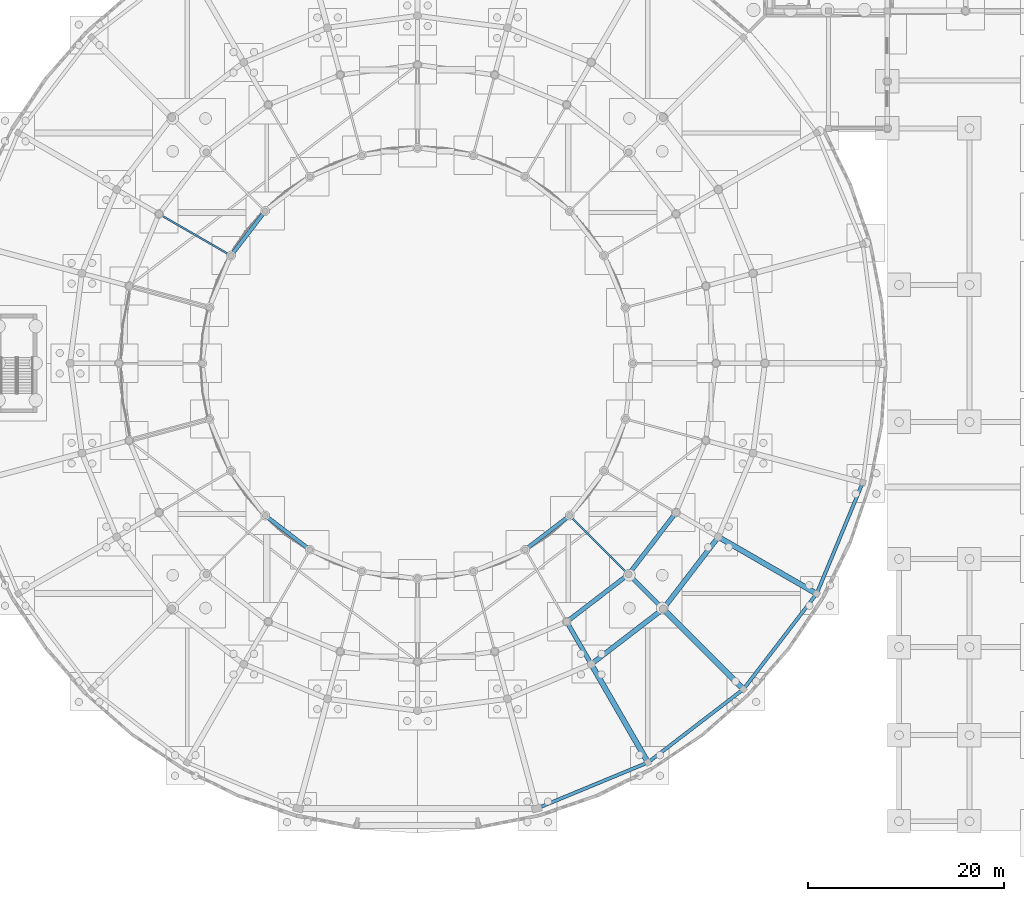
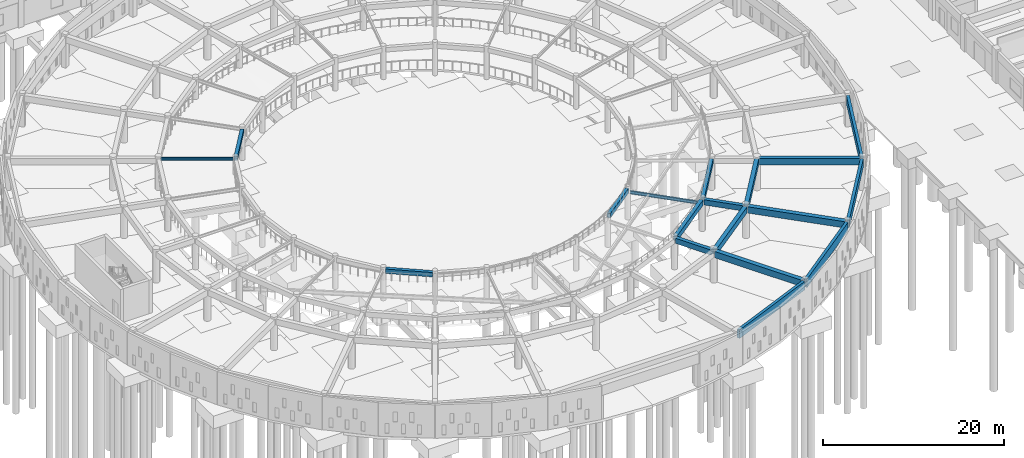
# One storey, part 23 of 84: 18 beams.
"""IFC4 building model written with IfcOpenShell, lengths in metres."""

from ifc_helpers import new_model, si_unit, direction, frame, origin, origin_2d, place, context, subcontext, project, spatial, rectangle, i_section, extrude, material, material_profile, profile_set, type_object, element, save


model = new_model("IFC4")

# Units and contexts
model_context = context("Model", 3, precision=1e-05, world=origin(), true_north=direction((0.0, 1.0)))
body_context = subcontext(model_context, "Body", "Model", "MODEL_VIEW")
ifc_project = project(units=[si_unit("LENGTHUNIT", "METRE"), si_unit("AREAUNIT", "SQUARE_METRE"), si_unit("VOLUMEUNIT", "CUBIC_METRE"), si_unit("PLANEANGLEUNIT", "RADIAN"), si_unit("MASSUNIT", "GRAM", prefix="KILO")], contexts=[model_context])

# Site, building, storey
site_placement = place(None, origin())
site = spatial("IfcSite", under=ifc_project, at=site_placement, CompositionType="ELEMENT")
building_placement = place(site_placement, origin())
building = spatial("IfcBuilding", under=site, at=building_placement, Name="Larkveld Mobility Hub", CompositionType="ELEMENT")
storey_placement = place(building_placement, origin())
storey = spatial("IfcBuildingStorey", under=building, at=storey_placement, Name="L00", CompositionType="ELEMENT", Elevation=0.0)

# Beams
ifc_material_1 = material(Name="Concrete C40/50", Category="concrete")
ifc_material_profile_1 = material_profile(ifc_material_1, rectangle(XDim=0.39990234375, YDim=0.60009765625, at=origin_2d()), Name="RC BM 400x600")
ifc_profile_set_1 = profile_set([ifc_material_profile_1], Name="Concrete C40/50")
beam_type_1 = type_object("IfcBeamType", Name="BM-RC4060", PredefinedType="BEAM", material=ifc_profile_set_1)
for number, where, z_axis, x_axis, name in (
    (1, (32.298095703125, 63.365966796875, 3.93505859375), (-0.608845256975, -0.793289009793, 0.0), (0.793289009793, -0.608845256975, 0.0), "Drum Chord Ring Beam L00-1325"),
    (2, (32.634033203125, 32.298095703125, 3.93505859375), (0.793289009793, -0.608845256975, 0.0), (0.608845256975, 0.793289009793, 0.0), "Drum Chord Ring Beam L00-1349"),
    (3, (59.18994140625, 29.093017578125, 3.93505859375), (0.793289009793, 0.608845256975, 0.0), (-0.608845256975, 0.793289009793, 0.0), "Drum Chord Ring Beam L00-1368"),
):
    element("IfcBeam", number, at=place(storey_placement, frame(where, z_axis=z_axis, x_axis=x_axis)), inside=storey, type_object=beam_type_1, Name=name, PredefinedType="BEAM", context=body_context, shape_type="SweptSolid", body=[
        extrude(rectangle(XDim=0.39990234375, YDim=0.60009765625, at=origin_2d()), origin(), (0.0, 0.0, 1.0), 5.26416015625),
    ])
ifc_material_profile_2 = material_profile(ifc_material_1, rectangle(XDim=0.449951171875, YDim=0.699951171875, at=origin_2d()), Name="RC BM 450x700")
ifc_profile_set_2 = profile_set([ifc_material_profile_2], Name="Concrete C40/50")
beam_type_2 = type_object("IfcBeamType", Name="BM-RC4570", PredefinedType="BEAM", material=ifc_profile_set_2)
beam_1_placement = place(storey_placement, frame((63.3701171875, 21.3779296875, 3.885009765625), z_axis=(0.50002017008, -0.86601375827, 0.0), x_axis=(0.86601375827, 0.50002017008, 0.0)))
element("IfcBeam", 4, at=beam_1_placement, inside=storey, type_object=beam_type_2, Name="Drum Radial Girder L00-1278", PredefinedType="BEAM", context=body_context, shape_type="SweptSolid", body=[
    extrude(rectangle(XDim=0.449951171875, YDim=0.699951171875, at=origin_2d()), origin(), (0.0, 0.0, 1.0), 4.519287109375),
])
beam_2_placement = place(storey_placement, frame((69.737060546875, 26.262939453125, 3.885009765625), z_axis=(0.707106781187, -0.707106781187, 0.0), x_axis=(0.707106781187, 0.707106781187, 0.0)))
element("IfcBeam", 5, at=beam_2_placement, inside=storey, type_object=beam_type_2, Name="Drum Radial Girder L00-1281", PredefinedType="BEAM", context=body_context, shape_type="SweptSolid", body=[
    extrude(rectangle(XDim=0.449951171875, YDim=0.699951171875, at=origin_2d()), origin(), (0.0, 0.0, 1.0), 4.51806640625),
])
for number, where, z_axis, x_axis, name in (
    (6, (63.43994140625, 21.73193359375, 3.885009765625), (0.793382610721, 0.608723281143, 0.0), (-0.608723281143, 0.793382610721, 0.0), "Drum Chord Ring Beam L00-1369"),
    (7, (69.712890625, 26.623046875, 3.885009765625), (0.608723281143, 0.793382610721, 0.0), (-0.793382610721, 0.608723281143, 0.0), "Drum Chord Ring Beam L00-1373"),
):
    element("IfcBeam", number, at=place(storey_placement, frame(where, z_axis=z_axis, x_axis=x_axis)), inside=storey, type_object=beam_type_2, Name=name, PredefinedType="BEAM", context=body_context, shape_type="SweptSolid", body=[
        extrude(rectangle(XDim=0.449951171875, YDim=0.699951171875, at=origin_2d()), origin(), (0.0, 0.0, 1.0), 7.483154296875),
    ])
ifc_material_profile_3 = material_profile(ifc_material_1, rectangle(XDim=0.5, YDim=0.800048828125, at=origin_2d()), Name="RC BM 500x800")
ifc_profile_set_3 = profile_set([ifc_material_profile_3], Name="Concrete C40/50")
beam_type_3 = type_object("IfcBeamType", Name="BM-RC5080", PredefinedType="BEAM", material=ifc_profile_set_3)
for number, where, z_axis, x_axis, name in (
    (8, (65.93994140625, 17.402099609375, 3.8349609375), (0.793357689021, 0.608755761591, 0.0), (-0.608755761591, 0.793357689021, 0.0), "Drum Chord Ring Beam L00-1370"),
    (9, (73.248046875, 23.087890625, 3.8349609375), (0.608755761591, 0.793357689021, 0.0), (-0.793357689021, 0.608755761591, 0.0), "Drum Chord Ring Beam L00-1374"),
):
    element("IfcBeam", number, at=place(storey_placement, frame(where, z_axis=z_axis, x_axis=x_axis)), inside=storey, type_object=beam_type_3, Name=name, PredefinedType="BEAM", context=body_context, shape_type="SweptSolid", body=[
        extrude(rectangle(XDim=0.5, YDim=0.800048828125, at=origin_2d()), origin(), (0.0, 0.0, 1.0), 8.7880859375),
    ])
ifc_material_profile_4 = material_profile(ifc_material_1, rectangle(XDim=0.550048828125, YDim=0.85009765625, at=origin_2d()), Name="RC BM 550x850")
ifc_profile_set_4 = profile_set([ifc_material_profile_4], Name="Concrete C40/50")
beam_type_4 = type_object("IfcBeamType", Name="BM-RC5585", PredefinedType="BEAM", material=ifc_profile_set_4)
beam_3_placement = place(storey_placement, frame((65.8701171875, 17.048095703125, 3.81005859375), z_axis=(0.499990426839, -0.866030930781, 0.0), x_axis=(0.866030930781, 0.499990426839, 0.0)))
element("IfcBeam", 10, at=beam_3_placement, inside=storey, type_object=beam_type_4, Name="Drum Radial Girder L00-1279", PredefinedType="BEAM", context=body_context, shape_type="SweptSolid", body=[
    extrude(rectangle(XDim=0.550048828125, YDim=0.85009765625, at=origin_2d()), origin(), (0.0, 0.0, 1.0), 11.119873046875),
])
beam_4_placement = place(storey_placement, frame((73.27197265625, 22.72802734375, 3.81005859375), z_axis=(0.707106781187, -0.707106781187, 0.0), x_axis=(0.707106781187, 0.707106781187, 0.0)))
element("IfcBeam", 11, at=beam_4_placement, inside=storey, type_object=beam_type_4, Name="Drum Radial Girder L00-1282", PredefinedType="BEAM", context=body_context, shape_type="SweptSolid", body=[
    extrude(rectangle(XDim=0.550048828125, YDim=0.85009765625, at=origin_2d()), origin(), (0.0, 0.0, 1.0), 11.1201171875),
])
beam_5_placement = place(storey_placement, frame((78.951904296875, 30.1298828125, 3.81005859375), z_axis=(0.866030930781, -0.499990426839, 0.0), x_axis=(0.499990426839, 0.866030930781, 0.0)))
element("IfcBeam", 12, at=beam_5_placement, inside=storey, type_object=beam_type_4, Name="Drum Radial Girder L00-1285", PredefinedType="BEAM", context=body_context, shape_type="SweptSolid", body=[
    extrude(rectangle(XDim=0.550048828125, YDim=0.85009765625, at=origin_2d()), origin(), (0.0, 0.0, 1.0), 11.119873046875),
])
ifc_material_2 = material(Name="Precast concrete C50/60", Category="concrete")
ifc_material_profile_5 = material_profile(ifc_material_2, rectangle(XDim=0.35009765625, YDim=1.14990234375, at=origin_2d()), Name="PC SP 350x1150")
ifc_profile_set_5 = profile_set([ifc_material_profile_5], Name="Precast concrete C50/60")
beam_type_5 = type_object("IfcBeamType", Name="BM-SP35115", PredefinedType="SPANDREL", material=ifc_profile_set_5)
beam_6_placement = place(storey_placement, frame((60.412109375, 2.596923828125, 3.659912109375), z_axis=(0.923893431655, 0.38264987514, 0.0), x_axis=(-0.38264987514, 0.923893431655, 0.0)))
element("IfcBeam", 13, at=beam_6_placement, inside=storey, type_object=beam_type_5, Name="Drum Chord Ring Beam L00-1367", PredefinedType="SPANDREL", context=body_context, shape_type="SweptSolid", body=[
    extrude(rectangle(XDim=0.35009765625, YDim=1.14990234375, at=origin_2d()), origin(), (0.0, 0.0, 1.0), 11.81494140625),
])
for number, where, z_axis, x_axis, name in (
    (14, (71.739990234375, 7.35595703125, 3.659912109375), (0.79337685225, 0.608730786402, 0.0), (-0.608730786402, 0.79337685225, 0.0), "Drum Chord Ring Beam L00-1371"),
    (15, (81.450927734375, 14.885009765625, 3.659912109375), (0.608730786402, 0.79337685225, 0.0), (-0.79337685225, 0.608730786402, 0.0), "Drum Chord Ring Beam L00-1375"),
):
    element("IfcBeam", number, at=place(storey_placement, frame(where, z_axis=z_axis, x_axis=x_axis)), inside=storey, type_object=beam_type_5, Name=name, PredefinedType="SPANDREL", context=body_context, shape_type="SweptSolid", body=[
        extrude(rectangle(XDim=0.35009765625, YDim=1.14990234375, at=origin_2d()), origin(), (0.0, 0.0, 1.0), 11.816650390625),
    ])
beam_7_placement = place(storey_placement, frame((88.882080078125, 24.672119140625, 3.659912109375), z_axis=(0.38264987514, 0.923893431655, 0.0), x_axis=(-0.923893431655, 0.38264987514, 0.0)))
element("IfcBeam", 16, at=beam_7_placement, inside=storey, type_object=beam_type_5, Name="Drum Chord Ring Beam L00-1379", PredefinedType="SPANDREL", context=body_context, shape_type="SweptSolid", body=[
    extrude(rectangle(XDim=0.35009765625, YDim=1.14990234375, at=origin_2d()), origin(), (0.0, 0.0, 1.0), 11.81494140625),
])
ifc_material_3 = material(Name="Steel S355JR", Category="steel")
ifc_material_profile_6 = material_profile(ifc_material_3, i_section(OverallWidth=0.179931640625, OverallDepth=0.39990234375, WebThickness=0.008544921875, FlangeThickness=0.013427734375, FilletRadius=0.02099609375, at=origin_2d()), Name="IPE 400")
ifc_profile_set_6 = profile_set([ifc_material_profile_6], Name="Steel S355JR")
beam_type_6 = type_object("IfcBeamType", Name="BM-STIPE400", PredefinedType="BEAM", material=ifc_profile_set_6)
beam_8_placement = place(storey_placement, frame((28.739013671875, 59.1201171875, 4.034912109375), z_axis=(-0.86602386286, 0.50000266895, 0.0), x_axis=(-0.50000266895, -0.86602386286, 0.0)))
element("IfcBeam", 17, at=beam_8_placement, inside=storey, type_object=beam_type_6, Name="Drum Radial Girder L00-1249", PredefinedType="BEAM", context=body_context, shape_type="SweptSolid", body=[
    extrude(i_section(OverallWidth=0.179931640625, OverallDepth=0.39990234375, WebThickness=0.008544921875, FlangeThickness=0.013427734375, FilletRadius=0.02099609375, at=origin_2d()), origin(), (0.0, 0.0, 1.0), 8.01953125),
])
beam_9_placement = place(storey_placement, frame((63.72607421875, 32.27392578125, 3.5849609375), z_axis=(0.707106781187, -0.707106781187, 0.0), x_axis=(0.707106781187, 0.707106781187, 0.0)))
element("IfcBeam", 18, at=beam_9_placement, inside=storey, type_object=beam_type_6, Name="Drum Radial Girder L00-1280", PredefinedType="BEAM", context=body_context, shape_type="SweptSolid", body=[
    extrude(i_section(OverallWidth=0.179931640625, OverallDepth=0.39990234375, WebThickness=0.008544921875, FlangeThickness=0.013427734375, FilletRadius=0.02099609375, at=origin_2d()), origin(), (0.0, 0.0, 1.0), 8.019775390625),
])

save(model, "model.ifc")
